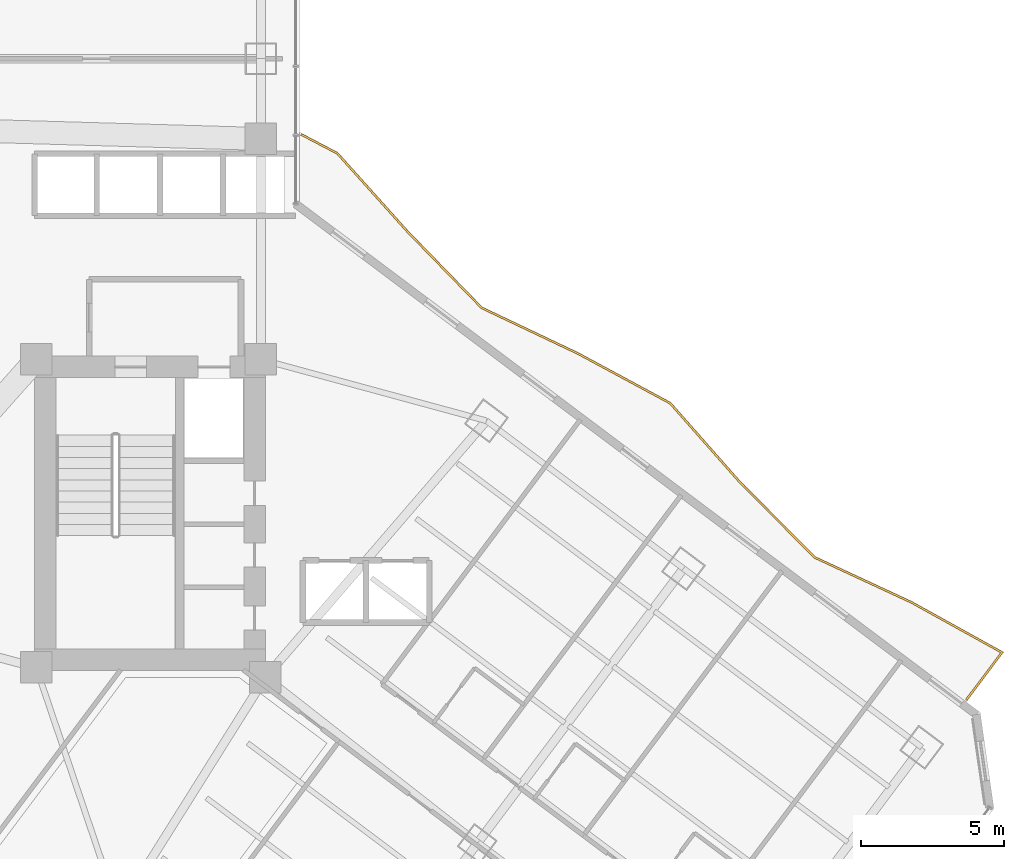
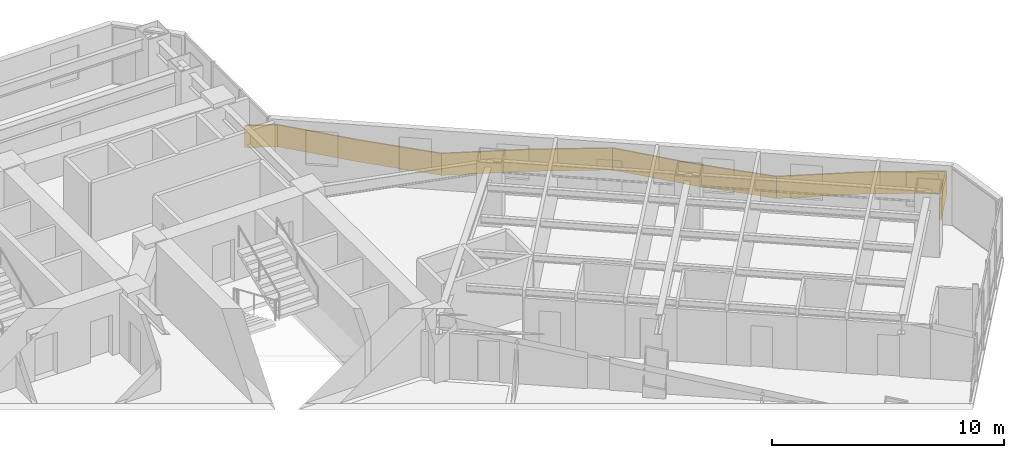
# One storey, part 35 of 38: 1 railing.
"""IFC4 building model written with IfcOpenShell, lengths in metres."""

import ifcopenshell
import ifcopenshell.guid

model = None  # the IFC model being written
_history = None  # IfcOwnerHistory: only IFC2X3 demands one
_inside = {}  # id of a spatial element -> (the spatial element, [elements in it])
_under = {}  # id of a project, library or spatial element -> (it, [spatial elements below it])
_declared = {}  # id of a project -> (the project, [libraries it declares])
_typed = {}  # id of a type object -> (the type object, [elements of that type])
_made_of = {}  # id of a material, layer set ... -> (it, [elements and type objects made of it])


def new_model(schema):
    """Start an empty IFC model of exactly this schema.

    Asked for "IFC4X3", IfcOpenShell would pick the latest addendum, in which some entities
    have other attributes; the version numbers below select the first issue.
    IFC2X3 requires an IfcOwnerHistory on every rooted entity: one is made here for all.
    """
    global model, _history
    if schema == "IFC4X3":
        model = ifcopenshell.file(schema_version=(4, 3, 0, 0))
    else:
        model = ifcopenshell.file(schema=schema)
    _inside.clear()
    _under.clear()
    _declared.clear()
    _typed.clear()
    _made_of.clear()
    _history = None
    if model.schema == "IFC2X3":
        org = make("IfcOrganization", Name="unknown")
        user = make(
            "IfcPersonAndOrganization",
            ThePerson=make("IfcPerson", FamilyName="unknown"),
            TheOrganization=org,
        )
        app = make(
            "IfcApplication",
            ApplicationDeveloper=org,
            Version="unknown",
            ApplicationFullName="unknown",
            ApplicationIdentifier="unknown",
        )
        _history = make(
            "IfcOwnerHistory",
            OwningUser=user,
            OwningApplication=app,
            ChangeAction="ADDED",
            CreationDate=0,
        )
    return model


def make(cls, **values):
    """One entity of the class cls with the attributes given. An attribute that is None is left unset."""
    return model.create_entity(
        cls, **{name: value for name, value in values.items() if value is not None}
    )


def rooted(cls, **values):
    """An entity with a GlobalId (a new one), such as an element, a storey or a relation."""
    return make(cls, GlobalId=ifcopenshell.guid.new(), OwnerHistory=_history, **values)


def si_unit(unit_type, name, prefix=None):
    """IfcSIUnit, for example si_unit("LENGTHUNIT", "METRE", prefix="MILLI")."""
    return make("IfcSIUnit", UnitType=unit_type, Prefix=prefix, Name=name)


def assignment(units):
    """IfcUnitAssignment: the units of a project."""
    return None if units is None else make("IfcUnitAssignment", Units=units)


def point(xyz):
    """IfcCartesianPoint."""
    return None if xyz is None else make("IfcCartesianPoint", Coordinates=xyz)


def direction(xyz):
    """IfcDirection."""
    return None if xyz is None else make("IfcDirection", DirectionRatios=xyz)


def frame(location, z_axis=None, x_axis=None):
    """IfcAxis2Placement3D, a coordinate frame: its origin and axes. An axis left out is left unset."""
    return make(
        "IfcAxis2Placement3D",
        Location=point(location),
        Axis=direction(z_axis),
        RefDirection=direction(x_axis),
    )


def origin():
    """The frame at (0, 0, 0) with its axes left unset."""
    return frame((0.0, 0.0, 0.0))


def place(relative_to, where):
    """IfcLocalPlacement: puts the frame where relative to a parent placement (None: the world)."""
    return make(
        "IfcLocalPlacement", PlacementRelTo=relative_to, RelativePlacement=where
    )


def context(
    kind, dimensions, precision=None, world=None, true_north=None, identifier=None
):
    """IfcGeometricRepresentationContext, for example the 3D "Model" context."""
    return make(
        "IfcGeometricRepresentationContext",
        ContextIdentifier=identifier,
        ContextType=kind,
        CoordinateSpaceDimension=dimensions,
        Precision=precision,
        WorldCoordinateSystem=world,
        TrueNorth=true_north,
    )


def subcontext(parent, identifier, kind, view, scale=None):
    """IfcGeometricRepresentationSubContext, for example "Body" below "Model"."""
    return make(
        "IfcGeometricRepresentationSubContext",
        ContextIdentifier=identifier,
        ContextType=kind,
        ParentContext=parent,
        TargetScale=scale,
        TargetView=view,
    )


def project(units=None, contexts=None):
    """IfcProject with its units and contexts."""
    return rooted(
        "IfcProject",
        Name="project",
        RepresentationContexts=contexts,
        UnitsInContext=assignment(units),
    )


def spatial(cls, under=None, at=None, **own):
    """A site, building, storey or space (cls), placed at a placement, below another one or the project."""
    s = rooted(cls, ObjectPlacement=at, **own)
    if under is not None:
        _under.setdefault(under.id(), (under, []))[1].append(s)
    return s


def polyline(points):
    """IfcPolyline through the points."""
    return make("IfcPolyline", Points=[point(p) for p in points])


def outline(outer, holes=None, kind="AREA"):
    """IfcArbitraryClosedProfileDef: a profile drawn as a closed curve; with holes, ...WithVoids."""
    if holes is None:
        return make("IfcArbitraryClosedProfileDef", ProfileType=kind, OuterCurve=outer)
    return make(
        "IfcArbitraryProfileDefWithVoids",
        ProfileType=kind,
        OuterCurve=outer,
        InnerCurves=holes,
    )


def extrude(swept, where, along, depth):
    """IfcExtrudedAreaSolid: the profile swept, set in the frame where, extruded along a direction by depth."""
    return make(
        "IfcExtrudedAreaSolid",
        SweptArea=swept,
        Position=where,
        ExtrudedDirection=direction(along),
        Depth=depth,
    )


def shape(context_of_items, identifier, shape_type, items):
    """IfcShapeRepresentation: the items that make up one representation, for example the "Body"."""
    return make(
        "IfcShapeRepresentation",
        ContextOfItems=context_of_items,
        RepresentationIdentifier=identifier,
        RepresentationType=shape_type,
        Items=items,
    )


def material(Name=None, Category=None):
    """IfcMaterial."""
    return make("IfcMaterial", Name=Name, Category=Category)


def layer(
    of_material, thickness, ventilated=None, Name=None, Category=None, Priority=None
):
    """IfcMaterialLayer: one layer of a wall or slab, of a material (None: an air gap)."""
    return make(
        "IfcMaterialLayer",
        Material=of_material,
        LayerThickness=thickness,
        IsVentilated=ventilated,
        Name=Name,
        Category=Category,
        Priority=Priority,
    )


def layer_set(layers, Name=None):
    """IfcMaterialLayerSet."""
    return make("IfcMaterialLayerSet", MaterialLayers=layers, LayerSetName=Name)


def made_of(thing, what):
    """Note that an element or type object is made of a material, layer set ...; save() writes the relation."""
    if what is not None:
        _made_of.setdefault(what.id(), (what, []))[1].append(thing)
    return thing


def type_object(cls, material=None, **own):
    """A type object (cls), such as IfcWallType, which elements share."""
    return made_of(rooted(cls, **own), material)


def element(
    cls,
    number,
    at=None,
    inside=None,
    cuts=None,
    type_object=None,
    material=None,
    context=None,
    identifier="Body",
    shape_type=None,
    held_by="IfcProductDefinitionShape",
    body=None,
    shapes=None,
    **own,
):
    """One element of the class cls, such as IfcWall. Its Tag is "e" and its number.

    at: its placement. inside: the storey or other place that contains it. cuts: it is an
    opening in that element (IfcRelVoidsElement). A single representation is given by context,
    identifier, shape_type and body (its items); several are given by shapes. held_by: the class
    of the entity that holds the representations. save() writes the other relations.
    """
    e = rooted(cls, Tag="e%d" % number, ObjectPlacement=at, **own)
    if body is not None:
        shapes = [shape(context, identifier, shape_type, body)]
    if shapes is not None:
        e.Representation = make(held_by, Representations=shapes)
    if inside is not None:
        _inside.setdefault(inside.id(), (inside, []))[1].append(e)
    if cuts is not None:
        rooted(
            "IfcRelVoidsElement", RelatingBuildingElement=cuts, RelatedOpeningElement=e
        )
    if type_object is not None:
        _typed.setdefault(type_object.id(), (type_object, []))[1].append(e)
    return made_of(e, material)


def aggregate(whole, parts):
    """IfcRelAggregates: a whole, such as a stair, and the parts it consists of."""
    return rooted("IfcRelAggregates", RelatingObject=whole, RelatedObjects=parts)


def save(model, path):
    """Write the relations noted so far, then the file.

    IfcRelAggregates (storeys below a building ...), IfcRelContainedInSpatialStructure (elements
    in a storey), IfcRelDefinesByType, IfcRelAssociatesMaterial and IfcRelDeclares: one each for
    every whole, place, type object, material and project.
    """
    for whole, parts in _under.values():
        aggregate(whole, parts)
    for where, things in _inside.values():
        rooted(
            "IfcRelContainedInSpatialStructure",
            RelatedElements=things,
            RelatingStructure=where,
        )
    for kind, things in _typed.values():
        rooted("IfcRelDefinesByType", RelatedObjects=things, RelatingType=kind)
    for what, things in _made_of.values():
        rooted("IfcRelAssociatesMaterial", RelatedObjects=things, RelatingMaterial=what)
    for by, libraries in _declared.values():
        rooted("IfcRelDeclares", RelatingContext=by, RelatedDefinitions=libraries)
    model.write(path)


model = new_model("IFC4")

# Units and contexts
model_context = context("Model", 3, precision=1e-05, world=origin(), true_north=direction((0.0, 1.0)))
body_context = subcontext(model_context, "Body", "Model", "MODEL_VIEW")
ifc_project = project(units=[si_unit("LENGTHUNIT", "METRE"), si_unit("AREAUNIT", "SQUARE_METRE"), si_unit("VOLUMEUNIT", "CUBIC_METRE"), si_unit("PLANEANGLEUNIT", "RADIAN"), si_unit("MASSUNIT", "GRAM", prefix="KILO")], contexts=[model_context])

# Site, building, storey
site_placement = place(None, origin())
site = spatial("IfcSite", under=ifc_project, at=site_placement, CompositionType="ELEMENT")
building_placement = place(site_placement, origin())
building = spatial("IfcBuilding", under=site, at=building_placement, Name="Hatsunagi Terrace Concourse", CompositionType="ELEMENT")
storey_placement = place(building_placement, frame((0.0, 0.0, 60.050048828125)))
storey = spatial("IfcBuildingStorey", under=building, at=storey_placement, Name="L15", CompositionType="ELEMENT", Elevation=60.050048828125)

# Railing
ifc_material = material(Name="Laminated Glass and Stainless Steel Guard", Category="steel")
ifc_layer = layer(ifc_material, 0.070068359375)
ifc_layer_set = layer_set([ifc_layer], Name="BalconyGlassGuardRail_1150")
railing_type = type_object("IfcRailingType", Name="BalconyGlassGuardRail_1150", PredefinedType="BALUSTRADE", material=ifc_layer_set)
railing_placement = place(storey_placement, origin())
element("IfcRailing", 1, at=railing_placement, inside=storey, type_object=railing_type, Name="Engawa Balcony Guard GRD-01 L15-BSE-1", PredefinedType="BALUSTRADE", context=body_context, shape_type="SweptSolid", body=[
    extrude(outline(polyline([(45.062255859375, 43.19189453125), (45.02978515625, 43.1298828125), (46.292236328125, 42.468994140625), (48.75537109375, 39.72216796875), (51.332275390625, 37.07421875), (54.694091796875, 35.478759765625), (57.913818359375, 33.7451171875), (60.360595703125, 30.971923828125), (62.964599609375, 28.35791015625), (66.343017578125, 26.788818359375), (69.46484375, 25.060791015625), (68.241943359375, 23.430908203125), (68.298095703125, 23.388916015625), (69.569091796875, 25.083251953125), (66.375, 26.851318359375), (63.00537109375, 28.416015625), (60.41162109375, 31.02001953125), (57.9580078125, 33.80078125), (54.725830078125, 35.541259765625), (51.373779296875, 37.1318359375), (48.806640625, 39.77001953125), (46.335693359375, 42.525146484375), (45.062255859375, 43.19189453125)])), origin(), (0.0, 0.0, 1.0), 1.14990234375),
])

save(model, "model.ifc")
